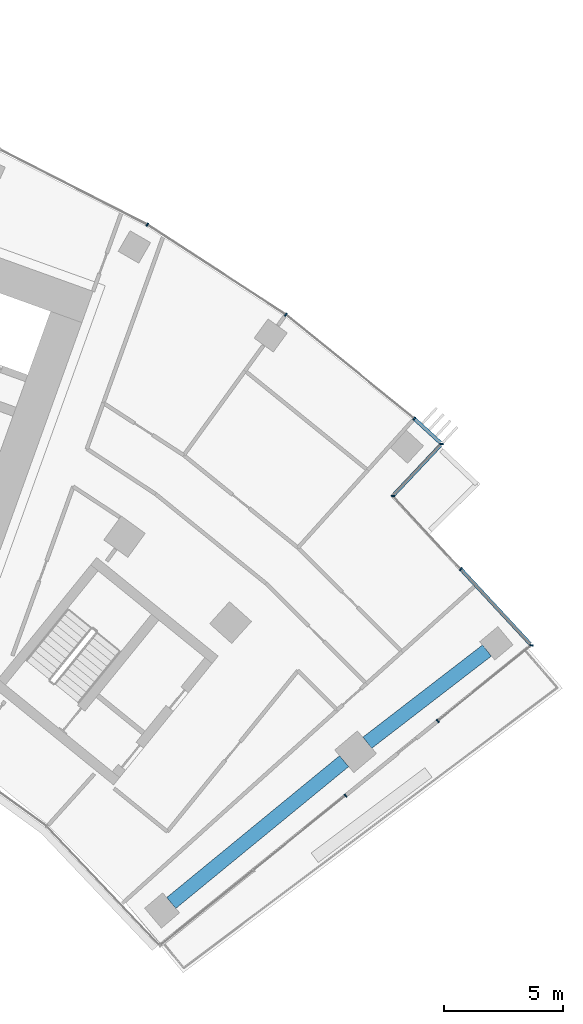
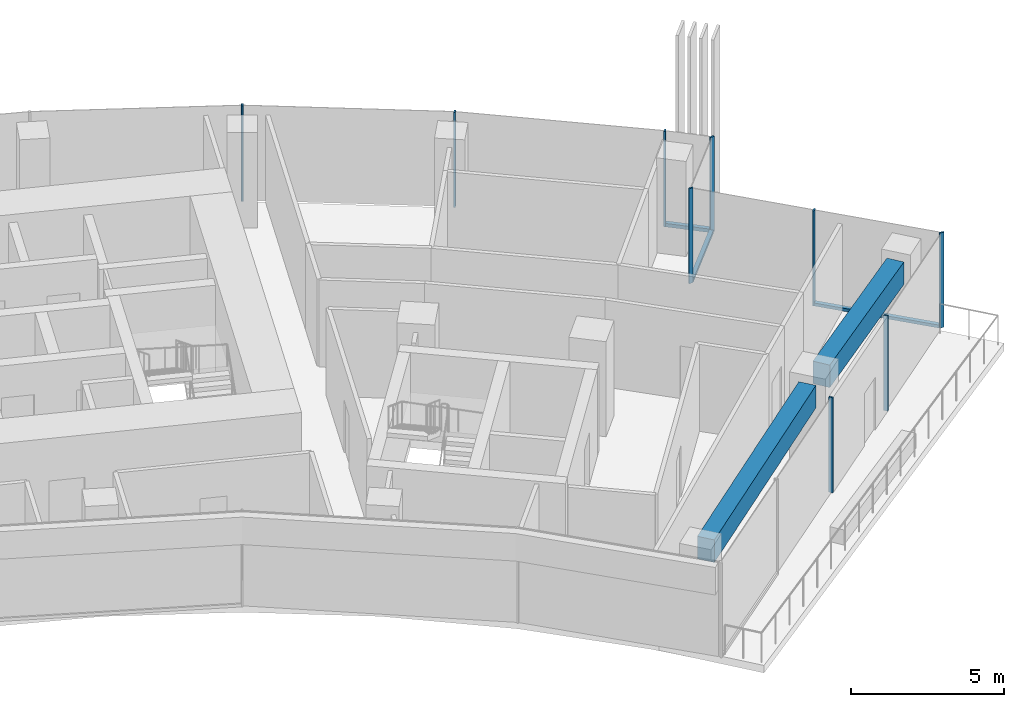
# One storey, part 9 of 21: 12 members, 2 beams, 4 elements without a shape of their own.
"""IFC4 building model written with IfcOpenShell, lengths in metres."""

from ifc_helpers import new_model, si_unit, direction, frame, origin, origin_2d, place, context, subcontext, project, spatial, rectangle, extrude, material, layer, layer_set, material_profile, profile_set, type_object, element, aggregate, save


model = new_model("IFC4")

# Units and contexts
model_context = context("Model", 3, precision=1e-05, world=origin(), true_north=direction((0.0, 1.0)))
body_context = subcontext(model_context, "Body", "Model", "MODEL_VIEW")
ifc_project = project(units=[si_unit("LENGTHUNIT", "METRE"), si_unit("AREAUNIT", "SQUARE_METRE"), si_unit("VOLUMEUNIT", "CUBIC_METRE"), si_unit("PLANEANGLEUNIT", "RADIAN"), si_unit("MASSUNIT", "GRAM", prefix="KILO")], contexts=[model_context])

# Site, building, storey
site_placement = place(None, origin())
site = spatial("IfcSite", under=ifc_project, at=site_placement, CompositionType="ELEMENT")
building_placement = place(site_placement, origin())
building = spatial("IfcBuilding", under=site, at=building_placement, Name="Stone Belt Terrace Tower", CompositionType="ELEMENT")
storey_placement = place(building_placement, frame((0.0, 0.0, 159.199951171875)))
storey = spatial("IfcBuildingStorey", under=building, at=storey_placement, Name="L38", CompositionType="ELEMENT", Elevation=159.199951171875)

# Curtain wall, members
ifc_material_1 = material(Name="Aluminium 6063-T6 anodised frame", Category="aluminium")
ifc_layer_1 = layer(ifc_material_1, 0.14990234375)
ifc_layer_set_1 = layer_set([ifc_layer_1], Name="CW-A unitised convex-face curtain wall")
curtain_wall_type_1 = type_object("IfcCurtainWallType", Name="CW-A unitised convex-face curtain wall", PredefinedType="NOTDEFINED", material=ifc_layer_set_1)
curtain_wall_1_placement = place(storey_placement, origin())
curtain_wall_1 = element("IfcCurtainWall", 1, at=curtain_wall_1_placement, inside=storey, type_object=curtain_wall_type_1, Name="CW-A convex face L38", PredefinedType="NOTDEFINED")
ifc_material_profile_1 = material_profile(ifc_material_1, rectangle(XDim=0.14990234375, YDim=0.06005859375, at=origin_2d()), Name="Aluminium 6063-T6 60x150")
ifc_profile_set_1 = profile_set([ifc_material_profile_1], Name="Aluminium 6063-T6 anodised frame")
member_type_1 = type_object("IfcMemberType", Name="CW-A mullion 60 x 150", PredefinedType="MULLION", material=ifc_profile_set_1)
member_1_placement = place(storey_placement, frame((45.705810546875, 48.40771484375, 0.0), z_axis=(0.0, 0.0, 1.0), x_axis=(-0.999371341174, -0.035453101983, 0.0)))
member_1 = element("IfcMember", 2, at=member_1_placement, type_object=member_type_1, Name="CW-A mullion 1", PredefinedType="MULLION", context=body_context, shape_type="SweptSolid", body=[
    extrude(rectangle(XDim=0.14990234375, YDim=0.06005859375, at=origin_2d()), origin(), (0.0, 0.0, 1.0), 3.800048828125),
])
member_2_placement = place(storey_placement, frame((44.546142578125, 49.475830078125, 0.0), z_axis=(0.0, 0.0, 1.0), x_axis=(-0.653721175671, -0.756735504968, 0.0)))
member_2 = element("IfcMember", 3, at=member_2_placement, type_object=member_type_1, Name="CW-A mullion 2", PredefinedType="MULLION", context=body_context, shape_type="SweptSolid", body=[
    extrude(rectangle(XDim=0.14990234375, YDim=0.06005859375, at=origin_2d()), origin(), (0.0, 0.0, 1.0), 3.800048828125),
])
member_3_placement = place(storey_placement, frame((39.1318359375, 53.8603515625, 0.0), z_axis=(0.0, 0.0, 1.0), x_axis=(-0.587785252292, -0.809016994375, 0.0)))
member_3 = element("IfcMember", 4, at=member_3_placement, type_object=member_type_1, Name="CW-A mullion 3", PredefinedType="MULLION", context=body_context, shape_type="SweptSolid", body=[
    extrude(rectangle(XDim=0.14990234375, YDim=0.06005859375, at=origin_2d()), origin(), (0.0, 0.0, 1.0), 3.800048828125),
])
member_4_placement = place(storey_placement, frame((33.28759765625, 57.65576171875, 0.0), z_axis=(0.0, 0.0, 1.0), x_axis=(-0.5, -0.866025403784, 0.0)))
member_4 = element("IfcMember", 5, at=member_4_placement, type_object=member_type_1, Name="CW-A mullion 4", PredefinedType="MULLION", context=body_context, shape_type="SweptSolid", body=[
    extrude(rectangle(XDim=0.14990234375, YDim=0.06005859375, at=origin_2d()), origin(), (0.0, 0.0, 1.0), 3.800048828125),
])
ifc_material_profile_2 = material_profile(ifc_material_1, rectangle(XDim=0.14990234375, YDim=0.139892578125, at=origin_2d()), Name="Aluminium 6063-T6 150x140")
ifc_profile_set_2 = profile_set([ifc_material_profile_2], Name="Aluminium 6063-T6 anodised frame")
member_type_2 = type_object("IfcMemberType", Name="CW-A transom 140 x 150", PredefinedType="USERDEFINED", material=ifc_profile_set_2)
member_5_placement = place(storey_placement, frame((45.651123046875, 48.458251953125, 0.070068359375), z_axis=(-0.735497183458, 0.677527780335, 0.0), x_axis=(-0.677527780335, -0.735497183458, 0.0)))
member_5 = element("IfcMember", 6, at=member_5_placement, type_object=member_type_2, Name="CW-A transom 1.1", ObjectType="TRANSOM", PredefinedType="USERDEFINED", context=body_context, shape_type="SweptSolid", body=[
    extrude(rectangle(XDim=0.14990234375, YDim=0.139892578125, at=origin_2d()), origin(), (0.0, 0.0, 1.0), 1.4697265625),
])
aggregate(curtain_wall_1, [member_1, member_2, member_3, member_4, member_5])

ifc_layer_2 = layer(ifc_material_1, 0.14990234375)
ifc_layer_set_2 = layer_set([ifc_layer_2], Name="CW-C stick curtain wall, horn ends and notches")
curtain_wall_type_2 = type_object("IfcCurtainWallType", Name="CW-C stick curtain wall, horn ends and notches", PredefinedType="NOTDEFINED", material=ifc_layer_set_2)
curtain_wall_2_placement = place(storey_placement, origin())
curtain_wall_2 = element("IfcCurtainWall", 7, at=curtain_wall_2_placement, inside=storey, type_object=curtain_wall_type_2, Name="CW-C end face L38", PredefinedType="NOTDEFINED")
ifc_material_profile_3 = material_profile(ifc_material_1, rectangle(XDim=0.14990234375, YDim=0.06005859375, at=origin_2d()), Name="Aluminium 6063-T6 60x150")
ifc_profile_set_3 = profile_set([ifc_material_profile_3], Name="Aluminium 6063-T6 anodised frame")
member_type_3 = type_object("IfcMemberType", Name="CW-C mullion 60 x 150", PredefinedType="MULLION", material=ifc_profile_set_3)
member_6_placement = place(storey_placement, frame((41.651123046875, 33.577392578125, 0.0), z_axis=(0.0, 0.0, 1.0), x_axis=(-0.628705337721, 0.777643619096, 0.0)))
member_6 = element("IfcMember", 8, at=member_6_placement, type_object=member_type_3, Name="CW-C mullion 3", PredefinedType="MULLION", context=body_context, shape_type="SweptSolid", body=[
    extrude(rectangle(XDim=0.14990234375, YDim=0.06005859375, at=origin_2d()), origin(), (0.0, 0.0, 1.0), 3.800048828125),
])
member_7_placement = place(storey_placement, frame((45.539306640625, 36.720947265625, 0.0), z_axis=(0.0, 0.0, 1.0), x_axis=(-0.628705337721, 0.777643619096, 0.0)))
member_7 = element("IfcMember", 9, at=member_7_placement, type_object=member_type_3, Name="CW-C mullion 4", PredefinedType="MULLION", context=body_context, shape_type="SweptSolid", body=[
    extrude(rectangle(XDim=0.14990234375, YDim=0.06005859375, at=origin_2d()), origin(), (0.0, 0.0, 1.0), 3.800048828125),
])
aggregate(curtain_wall_2, [member_6, member_7])

curtain_wall_3_placement = place(storey_placement, origin())
curtain_wall_3 = element("IfcCurtainWall", 10, at=curtain_wall_3_placement, inside=storey, type_object=curtain_wall_type_2, Name="CW-C notch face L38", PredefinedType="NOTDEFINED")
member_8_placement = place(storey_placement, frame((49.489990234375, 39.9150390625, 0.0), z_axis=(0.0, 0.0, 1.0), x_axis=(-0.997432350624, 0.07161498397, 0.0)))
member_8 = element("IfcMember", 11, at=member_8_placement, type_object=member_type_3, Name="CW-C mullion 1", PredefinedType="MULLION", context=body_context, shape_type="SweptSolid", body=[
    extrude(rectangle(XDim=0.14990234375, YDim=0.06005859375, at=origin_2d()), origin(), (0.0, 0.0, 1.0), 3.800048828125),
])
member_9_placement = place(storey_placement, frame((46.516357421875, 43.12255859375, 0.0), z_axis=(0.0, 0.0, 1.0), x_axis=(-0.733352329176, -0.679848778253, 0.0)))
member_9 = element("IfcMember", 12, at=member_9_placement, type_object=member_type_3, Name="CW-C mullion 2", PredefinedType="MULLION", context=body_context, shape_type="SweptSolid", body=[
    extrude(rectangle(XDim=0.14990234375, YDim=0.06005859375, at=origin_2d()), origin(), (0.0, 0.0, 1.0), 3.800048828125),
])

# Curtain wall, member
curtain_wall_4_placement = place(storey_placement, origin())
curtain_wall_4 = element("IfcCurtainWall", 13, at=curtain_wall_4_placement, inside=storey, type_object=curtain_wall_type_2, Name="CW-C notch face L38", PredefinedType="NOTDEFINED")
member_10_placement = place(storey_placement, frame((43.644775390625, 46.219970703125, 0.0), z_axis=(0.0, 0.0, 1.0), x_axis=(-0.999991971313, 0.004007157395, 0.0)))
member_10 = element("IfcMember", 14, at=member_10_placement, type_object=member_type_3, Name="CW-C mullion 1", PredefinedType="MULLION", context=body_context, shape_type="SweptSolid", body=[
    extrude(rectangle(XDim=0.14990234375, YDim=0.06005859375, at=origin_2d()), origin(), (0.0, 0.0, 1.0), 3.800048828125),
])

# Member
ifc_material_profile_4 = material_profile(ifc_material_1, rectangle(XDim=0.14990234375, YDim=0.1201171875, at=origin_2d()), Name="Aluminium 6063-T6 150x120")
ifc_profile_set_4 = profile_set([ifc_material_profile_4], Name="Aluminium 6063-T6 anodised frame")
member_type_4 = type_object("IfcMemberType", Name="CW-C transom 120 x 150", PredefinedType="USERDEFINED", material=ifc_profile_set_4)
member_11_placement = place(storey_placement, frame((49.438720703125, 39.97021484375, 0.06005859375), z_axis=(-0.67986295922, 0.733339182562, 0.0), x_axis=(-0.733339182562, -0.67986295922, 0.0)))
member_11 = element("IfcMember", 15, at=member_11_placement, type_object=member_type_4, Name="CW-C transom 1.1", ObjectType="TRANSOM", PredefinedType="USERDEFINED", context=body_context, shape_type="SweptSolid", body=[
    extrude(rectangle(XDim=0.14990234375, YDim=0.1201171875, at=origin_2d()), origin(), (0.0, 0.0, 1.0), 4.2685546875),
])

aggregate(curtain_wall_3, [member_8, member_9, member_11])

member_12_placement = place(storey_placement, frame((43.695068359375, 46.273193359375, 0.06005859375), z_axis=(0.685649738624, 0.727931614869, 0.0), x_axis=(-0.727931614869, 0.685649738624, 0.0)))
member_12 = element("IfcMember", 16, at=member_12_placement, type_object=member_type_4, Name="CW-C transom 1.1", ObjectType="TRANSOM", PredefinedType="USERDEFINED", context=body_context, shape_type="SweptSolid", body=[
    extrude(rectangle(XDim=0.14990234375, YDim=0.1201171875, at=origin_2d()), origin(), (0.0, 0.0, 1.0), 2.858154296875),
])

aggregate(curtain_wall_4, [member_10, member_12])

# Beams
ifc_material_2 = material(Name="Concrete B60", Category="concrete")
ifc_material_profile_5 = material_profile(ifc_material_2, rectangle(XDim=0.60009765625, YDim=0.89990234375, at=origin_2d()), Name="RC 600x900")
ifc_profile_set_5 = profile_set([ifc_material_profile_5], Name="Concrete B60")
beam_type = type_object("IfcBeamType", Name="Edge beam RC 600x900 B60", PredefinedType="SPANDREL", material=ifc_profile_set_5)
beam_1_placement = place(storey_placement, frame((34.298583984375, 29.045654296875, 3.030029296875), z_axis=(0.773152783666, 0.634219814505, 0.0), x_axis=(-0.634219814505, 0.773152783666, 0.0)))
element("IfcBeam", 17, at=beam_1_placement, inside=storey, type_object=beam_type, Name="Edge beam L38 B P to Q", PredefinedType="SPANDREL", context=body_context, shape_type="SweptSolid", body=[
    extrude(rectangle(XDim=0.60009765625, YDim=0.89990234375, at=origin_2d()), origin(), (0.0, 0.0, 1.0), 9.43115234375),
])
beam_2_placement = place(storey_placement, frame((42.569091796875, 35.80517578125, 3.030029296875), z_axis=(0.792093595683, 0.610399652423, 0.0), x_axis=(-0.610399652423, 0.792093595683, 0.0)))
element("IfcBeam", 18, at=beam_2_placement, inside=storey, type_object=beam_type, Name="Edge beam L38 B Q to R", PredefinedType="SPANDREL", context=body_context, shape_type="SweptSolid", body=[
    extrude(rectangle(XDim=0.60009765625, YDim=0.89990234375, at=origin_2d()), origin(), (0.0, 0.0, 1.0), 6.369140625),
])

save(model, "model.ifc")
